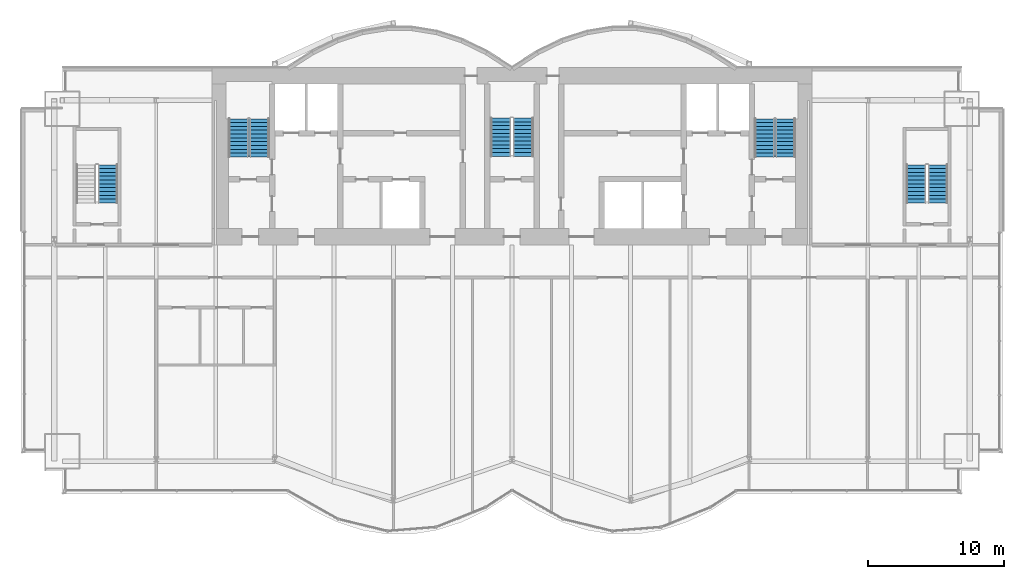
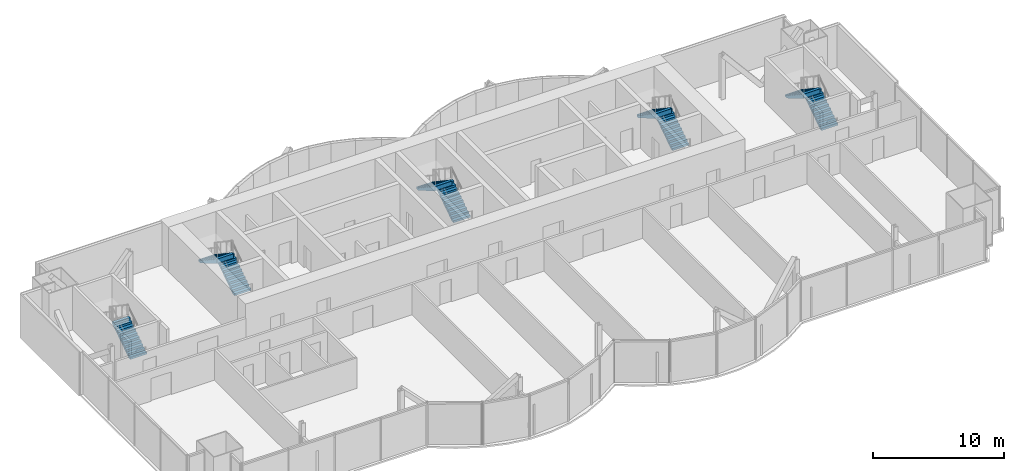
# One storey, part 17 of 20: 9 stair flights, 5 elements without a shape of their own.
"""IFC4 building model written with IfcOpenShell, lengths in metres."""

from ifc_helpers import new_model, si_unit, direction, frame, origin, place, context, subcontext, project, spatial, polyline, outline, extrude, material, type_object, element, aggregate, save


model = new_model("IFC4")

# Units and contexts
model_context = context("Model", 3, precision=1e-05, world=origin(), true_north=direction((0.0, 1.0)))
body_context = subcontext(model_context, "Body", "Model", "MODEL_VIEW")
ifc_project = project(units=[si_unit("LENGTHUNIT", "METRE"), si_unit("AREAUNIT", "SQUARE_METRE"), si_unit("VOLUMEUNIT", "CUBIC_METRE"), si_unit("PLANEANGLEUNIT", "RADIAN"), si_unit("MASSUNIT", "GRAM", prefix="KILO")], contexts=[model_context])

# Site, building, storey
site_placement = place(None, origin())
site = spatial("IfcSite", under=ifc_project, at=site_placement, CompositionType="ELEMENT")
building_placement = place(site_placement, origin())
building = spatial("IfcBuilding", under=site, at=building_placement, Name="Bicima Exchange Tower", CompositionType="ELEMENT")
storey_placement = place(building_placement, frame((0.0, 0.0, 223.699951171875)))
storey = spatial("IfcBuildingStorey", under=building, at=storey_placement, Name="L50", CompositionType="ELEMENT", Elevation=223.699951171875)

# Stair, stair flights
ifc_material = material(Name="Concrete C50/60", Category="concrete")
stair_type_1 = type_object("IfcStairType", Name="Exit stair", PredefinedType="HALF_TURN_STAIR", material=ifc_material)
stair_1_placement = place(storey_placement, origin())
stair_1 = element("IfcStair", 1, at=stair_1_placement, inside=storey, type_object=stair_type_1, Name="L50 West exit stair", PredefinedType="HALF_TURN_STAIR")
stair_flight_type_1 = type_object("IfcStairFlightType", Name="Stair flight RC", PredefinedType="STRAIGHT", material=ifc_material)
stair_flight_1_placement = place(storey_placement, frame((-18.52490234375, -6.550048828125, 0.0), z_axis=(0.0, 0.0, 1.0), x_axis=(0.0, 1.0, 0.0)))
stair_flight_1 = element("IfcStairFlight", 2, at=stair_flight_1_placement, type_object=stair_flight_type_1, Name="ST-W flight 1", NumberOfRisers=11, NumberOfTreads=10, PredefinedType="STRAIGHT", RiserHeight=0.186363636, TreadLength=0.28, context=body_context, shape_type="SweptSolid", body=[
    extrude(outline(polyline([(0.0, 0.0), (0.0, 0.186279296875), (0.280029296875, 0.186279296875), (0.280029296875, 0.372802734375), (0.56005859375, 0.372802734375), (0.56005859375, 0.55908203125), (0.840087890625, 0.55908203125), (0.840087890625, 0.745361328125), (1.1201171875, 0.745361328125), (1.1201171875, 0.931884765625), (1.39990234375, 0.931884765625), (1.39990234375, 1.1181640625), (1.679931640625, 1.1181640625), (1.679931640625, 1.304443359375), (1.9599609375, 1.304443359375), (1.9599609375, 1.490966796875), (2.239990234375, 1.490966796875), (2.239990234375, 1.67724609375), (2.52001953125, 1.67724609375), (2.52001953125, 1.863525390625), (2.800048828125, 1.863525390625), (2.800048828125, 2.050048828125), (2.800048828125, 1.68359375), (0.2705078125, 0.0), (0.0, 0.0)])), frame((0.0, 0.72509765625, 0.0), z_axis=(0.0, -1.0, 0.0), x_axis=(1.0, 0.0, 0.0)), (0.0, 0.0, 1.0), 1.449951171875),
])
stair_flight_2_placement = place(storey_placement, frame((-20.074951171875, -3.75, 2.050048828125), z_axis=(0.0, 0.0, 1.0), x_axis=(0.0, -1.0, 0.0)))
stair_flight_2 = element("IfcStairFlight", 3, at=stair_flight_2_placement, type_object=stair_flight_type_1, Name="ST-W flight 2", NumberOfRisers=11, NumberOfTreads=10, PredefinedType="STRAIGHT", RiserHeight=0.186363636, TreadLength=0.28, context=body_context, shape_type="SweptSolid", body=[
    extrude(outline(polyline([(0.0, 0.0), (0.0, 0.186279296875), (0.280029296875, 0.186279296875), (0.280029296875, 0.372802734375), (0.56005859375, 0.372802734375), (0.56005859375, 0.55908203125), (0.840087890625, 0.55908203125), (0.840087890625, 0.745361328125), (1.1201171875, 0.745361328125), (1.1201171875, 0.931884765625), (1.39990234375, 0.931884765625), (1.39990234375, 1.1181640625), (1.679931640625, 1.1181640625), (1.679931640625, 1.304443359375), (1.9599609375, 1.304443359375), (1.9599609375, 1.490966796875), (2.239990234375, 1.490966796875), (2.239990234375, 1.67724609375), (2.52001953125, 1.67724609375), (2.52001953125, 1.863525390625), (2.800048828125, 1.863525390625), (2.800048828125, 1.904052734375), (2.81494140625, 1.904052734375), (2.81494140625, 1.507080078125), (0.2705078125, 0.0), (0.0, 0.0)])), frame((0.0, 0.72509765625, 0.0), z_axis=(0.0, -1.0, 0.0), x_axis=(1.0, 0.0, 0.0)), (0.0, 0.0, 1.0), 1.449951171875),
])
aggregate(stair_1, [stair_flight_1, stair_flight_2])

stair_2_placement = place(storey_placement, origin())
stair_2 = element("IfcStair", 4, at=stair_2_placement, inside=storey, type_object=stair_type_1, Name="L50 East exit stair", PredefinedType="HALF_TURN_STAIR")
stair_flight_3_placement = place(storey_placement, frame((20.074951171875, -6.550048828125, 0.0), z_axis=(0.0, 0.0, 1.0), x_axis=(0.0, 1.0, 0.0)))
stair_flight_3 = element("IfcStairFlight", 5, at=stair_flight_3_placement, type_object=stair_flight_type_1, Name="ST-E flight 1", NumberOfRisers=11, NumberOfTreads=10, PredefinedType="STRAIGHT", RiserHeight=0.186363636, TreadLength=0.28, context=body_context, shape_type="SweptSolid", body=[
    extrude(outline(polyline([(0.0, 0.0), (0.0, 0.186279296875), (0.280029296875, 0.186279296875), (0.280029296875, 0.372802734375), (0.56005859375, 0.372802734375), (0.56005859375, 0.55908203125), (0.840087890625, 0.55908203125), (0.840087890625, 0.745361328125), (1.1201171875, 0.745361328125), (1.1201171875, 0.931884765625), (1.39990234375, 0.931884765625), (1.39990234375, 1.1181640625), (1.679931640625, 1.1181640625), (1.679931640625, 1.304443359375), (1.9599609375, 1.304443359375), (1.9599609375, 1.490966796875), (2.239990234375, 1.490966796875), (2.239990234375, 1.67724609375), (2.52001953125, 1.67724609375), (2.52001953125, 1.863525390625), (2.800048828125, 1.863525390625), (2.800048828125, 2.050048828125), (2.800048828125, 1.68359375), (0.2705078125, 0.0), (0.0, 0.0)])), frame((0.0, 0.72509765625, 0.0), z_axis=(0.0, -1.0, 0.0), x_axis=(1.0, 0.0, 0.0)), (0.0, 0.0, 1.0), 1.449951171875),
])
stair_flight_4_placement = place(storey_placement, frame((18.52490234375, -3.75, 2.050048828125), z_axis=(0.0, 0.0, 1.0), x_axis=(0.0, -1.0, 0.0)))
stair_flight_4 = element("IfcStairFlight", 6, at=stair_flight_4_placement, type_object=stair_flight_type_1, Name="ST-E flight 2", NumberOfRisers=11, NumberOfTreads=10, PredefinedType="STRAIGHT", RiserHeight=0.186363636, TreadLength=0.28, context=body_context, shape_type="SweptSolid", body=[
    extrude(outline(polyline([(0.0, 0.0), (0.0, 0.186279296875), (0.280029296875, 0.186279296875), (0.280029296875, 0.372802734375), (0.56005859375, 0.372802734375), (0.56005859375, 0.55908203125), (0.840087890625, 0.55908203125), (0.840087890625, 0.745361328125), (1.1201171875, 0.745361328125), (1.1201171875, 0.931884765625), (1.39990234375, 0.931884765625), (1.39990234375, 1.1181640625), (1.679931640625, 1.1181640625), (1.679931640625, 1.304443359375), (1.9599609375, 1.304443359375), (1.9599609375, 1.490966796875), (2.239990234375, 1.490966796875), (2.239990234375, 1.67724609375), (2.52001953125, 1.67724609375), (2.52001953125, 1.863525390625), (2.800048828125, 1.863525390625), (2.800048828125, 1.904052734375), (2.81494140625, 1.904052734375), (2.81494140625, 1.507080078125), (0.2705078125, 0.0), (0.0, 0.0)])), frame((0.0, 0.72509765625, 0.0), z_axis=(0.0, -1.0, 0.0), x_axis=(1.0, 0.0, 0.0)), (0.0, 0.0, 1.0), 1.449951171875),
])
aggregate(stair_2, [stair_flight_3, stair_flight_4])

# Stair, stair flight
stair_3_placement = place(storey_placement, origin())
stair_3 = element("IfcStair", 7, at=stair_3_placement, inside=storey, type_object=stair_type_1, Name="L50 West end exit stair", PredefinedType="HALF_TURN_STAIR")
stair_flight_5_placement = place(storey_placement, frame((-29.64990234375, -9.925048828125, 0.0), z_axis=(0.0, 0.0, 1.0), x_axis=(0.0, 1.0, 0.0)))
stair_flight_5 = element("IfcStairFlight", 8, at=stair_flight_5_placement, type_object=stair_flight_type_1, Name="ST-WW flight 1", NumberOfRisers=11, NumberOfTreads=10, PredefinedType="STRAIGHT", RiserHeight=0.186363636, TreadLength=0.28, context=body_context, shape_type="SweptSolid", body=[
    extrude(outline(polyline([(0.0, 0.0), (0.0, 0.186279296875), (0.280029296875, 0.186279296875), (0.280029296875, 0.372802734375), (0.56005859375, 0.372802734375), (0.56005859375, 0.55908203125), (0.840087890625, 0.55908203125), (0.840087890625, 0.745361328125), (1.1201171875, 0.745361328125), (1.1201171875, 0.931884765625), (1.39990234375, 0.931884765625), (1.39990234375, 1.1181640625), (1.679931640625, 1.1181640625), (1.679931640625, 1.304443359375), (1.9599609375, 1.304443359375), (1.9599609375, 1.490966796875), (2.239990234375, 1.490966796875), (2.239990234375, 1.67724609375), (2.52001953125, 1.67724609375), (2.52001953125, 1.863525390625), (2.800048828125, 1.863525390625), (2.800048828125, 2.050048828125), (2.800048828125, 1.68359375), (0.2705078125, 0.0), (0.0, 0.0)])), frame((0.0, 0.72509765625, 0.0), z_axis=(0.0, -1.0, 0.0), x_axis=(1.0, 0.0, 0.0)), (0.0, 0.0, 1.0), 1.449951171875),
])
aggregate(stair_3, [stair_flight_5])

# Stair, stair flights
stair_4_placement = place(storey_placement, origin())
stair_4 = element("IfcStair", 9, at=stair_4_placement, inside=storey, type_object=stair_type_1, Name="L50 East end exit stair", PredefinedType="HALF_TURN_STAIR")
stair_flight_6_placement = place(storey_placement, frame((31.25, -9.925048828125, 0.0), z_axis=(0.0, 0.0, 1.0), x_axis=(0.0, 1.0, 0.0)))
stair_flight_6 = element("IfcStairFlight", 10, at=stair_flight_6_placement, type_object=stair_flight_type_1, Name="ST-EE flight 1", NumberOfRisers=11, NumberOfTreads=10, PredefinedType="STRAIGHT", RiserHeight=0.186363636, TreadLength=0.28, context=body_context, shape_type="SweptSolid", body=[
    extrude(outline(polyline([(0.0, 0.0), (0.0, 0.186279296875), (0.280029296875, 0.186279296875), (0.280029296875, 0.372802734375), (0.56005859375, 0.372802734375), (0.56005859375, 0.55908203125), (0.840087890625, 0.55908203125), (0.840087890625, 0.745361328125), (1.1201171875, 0.745361328125), (1.1201171875, 0.931884765625), (1.39990234375, 0.931884765625), (1.39990234375, 1.1181640625), (1.679931640625, 1.1181640625), (1.679931640625, 1.304443359375), (1.9599609375, 1.304443359375), (1.9599609375, 1.490966796875), (2.239990234375, 1.490966796875), (2.239990234375, 1.67724609375), (2.52001953125, 1.67724609375), (2.52001953125, 1.863525390625), (2.800048828125, 1.863525390625), (2.800048828125, 2.050048828125), (2.800048828125, 1.68359375), (0.2705078125, 0.0), (0.0, 0.0)])), frame((0.0, 0.72509765625, 0.0), z_axis=(0.0, -1.0, 0.0), x_axis=(1.0, 0.0, 0.0)), (0.0, 0.0, 1.0), 1.449951171875),
])
stair_flight_7_placement = place(storey_placement, frame((29.64990234375, -7.125, 2.050048828125), z_axis=(0.0, 0.0, 1.0), x_axis=(0.0, -1.0, 0.0)))
stair_flight_7 = element("IfcStairFlight", 11, at=stair_flight_7_placement, type_object=stair_flight_type_1, Name="ST-EE flight 2", NumberOfRisers=11, NumberOfTreads=10, PredefinedType="STRAIGHT", RiserHeight=0.186363636, TreadLength=0.28, context=body_context, shape_type="SweptSolid", body=[
    extrude(outline(polyline([(0.0, 0.0), (0.0, 0.186279296875), (0.280029296875, 0.186279296875), (0.280029296875, 0.372802734375), (0.56005859375, 0.372802734375), (0.56005859375, 0.55908203125), (0.840087890625, 0.55908203125), (0.840087890625, 0.745361328125), (1.1201171875, 0.745361328125), (1.1201171875, 0.931884765625), (1.39990234375, 0.931884765625), (1.39990234375, 1.1181640625), (1.679931640625, 1.1181640625), (1.679931640625, 1.304443359375), (1.9599609375, 1.304443359375), (1.9599609375, 1.490966796875), (2.239990234375, 1.490966796875), (2.239990234375, 1.67724609375), (2.52001953125, 1.67724609375), (2.52001953125, 1.863525390625), (2.800048828125, 1.863525390625), (2.800048828125, 1.904052734375), (2.81494140625, 1.904052734375), (2.81494140625, 1.507080078125), (0.2705078125, 0.0), (0.0, 0.0)])), frame((0.0, 0.72509765625, 0.0), z_axis=(0.0, -1.0, 0.0), x_axis=(1.0, 0.0, 0.0)), (0.0, 0.0, 1.0), 1.449951171875),
])
aggregate(stair_4, [stair_flight_6, stair_flight_7])

stair_type_2 = type_object("IfcStairType", Name="Exit stair 1500", PredefinedType="HALF_TURN_STAIR", material=ifc_material)
stair_5_placement = place(storey_placement, origin())
stair_5 = element("IfcStair", 12, at=stair_5_placement, inside=storey, type_object=stair_type_2, Name="L50 Central exit stair", PredefinedType="HALF_TURN_STAIR")
stair_flight_type_2 = type_object("IfcStairFlightType", Name="Stair flight RC 1500", PredefinedType="STRAIGHT", material=ifc_material)
stair_flight_8_placement = place(storey_placement, frame((0.824951171875, -6.5, 0.0), z_axis=(0.0, 0.0, 1.0), x_axis=(0.0, 1.0, 0.0)))
stair_flight_8 = element("IfcStairFlight", 13, at=stair_flight_8_placement, type_object=stair_flight_type_2, Name="ST-C flight 1", NumberOfRisers=11, NumberOfTreads=10, PredefinedType="STRAIGHT", RiserHeight=0.186363636, TreadLength=0.28, context=body_context, shape_type="SweptSolid", body=[
    extrude(outline(polyline([(0.0, 0.0), (0.0, 0.186279296875), (0.280029296875, 0.186279296875), (0.280029296875, 0.372802734375), (0.56005859375, 0.372802734375), (0.56005859375, 0.55908203125), (0.840087890625, 0.55908203125), (0.840087890625, 0.745361328125), (1.1201171875, 0.745361328125), (1.1201171875, 0.931884765625), (1.39990234375, 0.931884765625), (1.39990234375, 1.1181640625), (1.679931640625, 1.1181640625), (1.679931640625, 1.304443359375), (1.9599609375, 1.304443359375), (1.9599609375, 1.490966796875), (2.239990234375, 1.490966796875), (2.239990234375, 1.67724609375), (2.52001953125, 1.67724609375), (2.52001953125, 1.863525390625), (2.800048828125, 1.863525390625), (2.800048828125, 2.050048828125), (2.800048828125, 1.68359375), (0.2705078125, 0.0), (0.0, 0.0)])), frame((0.0, 0.75, 0.0), z_axis=(0.0, -1.0, 0.0), x_axis=(1.0, 0.0, 0.0)), (0.0, 0.0, 1.0), 1.5),
])
stair_flight_9_placement = place(storey_placement, frame((-0.824951171875, -3.699951171875, 2.050048828125), z_axis=(0.0, 0.0, 1.0), x_axis=(0.0, -1.0, 0.0)))
stair_flight_9 = element("IfcStairFlight", 14, at=stair_flight_9_placement, type_object=stair_flight_type_2, Name="ST-C flight 2", NumberOfRisers=11, NumberOfTreads=10, PredefinedType="STRAIGHT", RiserHeight=0.186363636, TreadLength=0.28, context=body_context, shape_type="SweptSolid", body=[
    extrude(outline(polyline([(0.0, 0.0), (0.0, 0.186279296875), (0.280029296875, 0.186279296875), (0.280029296875, 0.372802734375), (0.56005859375, 0.372802734375), (0.56005859375, 0.55908203125), (0.840087890625, 0.55908203125), (0.840087890625, 0.745361328125), (1.1201171875, 0.745361328125), (1.1201171875, 0.931884765625), (1.39990234375, 0.931884765625), (1.39990234375, 1.1181640625), (1.679931640625, 1.1181640625), (1.679931640625, 1.304443359375), (1.9599609375, 1.304443359375), (1.9599609375, 1.490966796875), (2.239990234375, 1.490966796875), (2.239990234375, 1.67724609375), (2.52001953125, 1.67724609375), (2.52001953125, 1.863525390625), (2.800048828125, 1.863525390625), (2.800048828125, 1.904052734375), (2.81494140625, 1.904052734375), (2.81494140625, 1.507080078125), (0.2705078125, 0.0), (0.0, 0.0)])), frame((0.0, 0.75, 0.0), z_axis=(0.0, -1.0, 0.0), x_axis=(1.0, 0.0, 0.0)), (0.0, 0.0, 1.0), 1.5),
])
aggregate(stair_5, [stair_flight_8, stair_flight_9])

save(model, "model.ifc")
